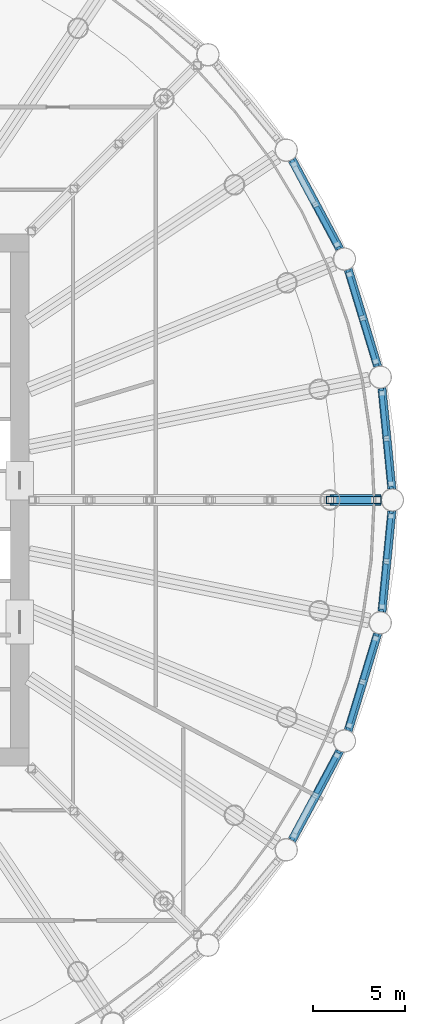
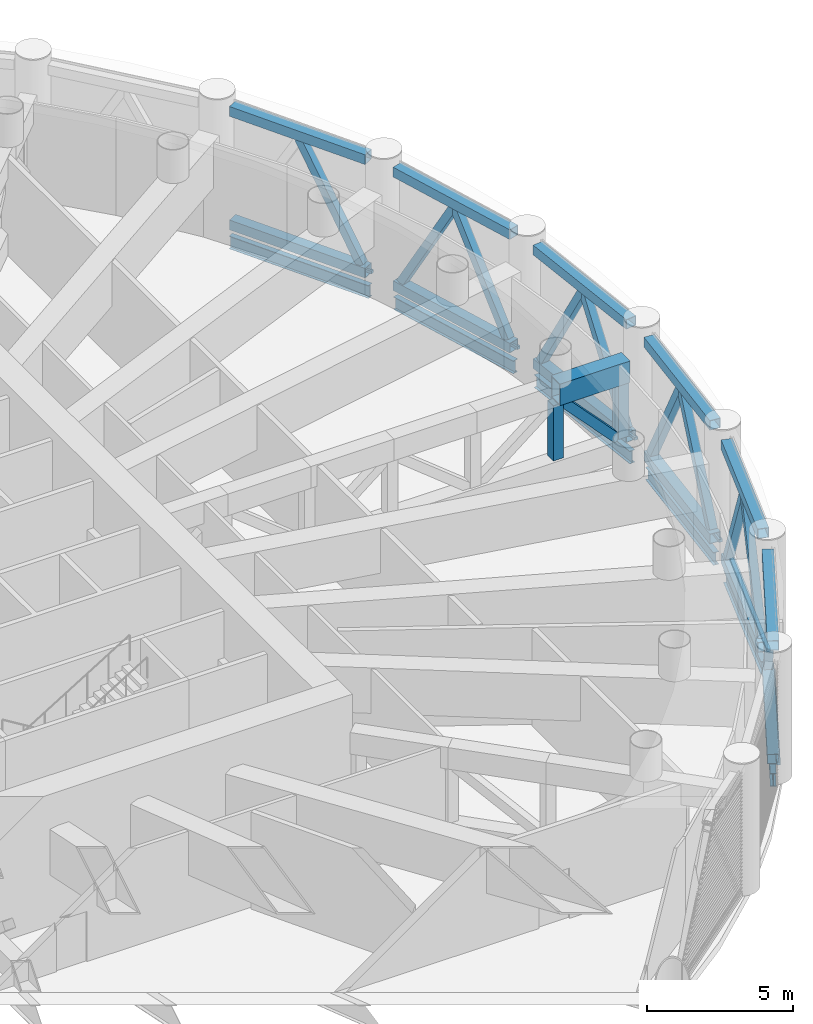
# One storey, part 7 of 29: 32 members, 6 beams, 6 elements without a shape of their own.
"""IFC4 building model written with IfcOpenShell, lengths in metres."""

from ifc_helpers import new_model, si_unit, direction, frame, origin, origin_2d, place, context, subcontext, project, spatial, rectangle, hollow_rectangle, i_section, extrude, material, material_profile, profile_set, type_object, element, aggregate, save


model = new_model("IFC4")

# Units and contexts
model_context = context("Model", 3, precision=1e-05, world=origin(), true_north=direction((0.0, 1.0)))
body_context = subcontext(model_context, "Body", "Model", "MODEL_VIEW")
ifc_project = project(units=[si_unit("LENGTHUNIT", "METRE"), si_unit("AREAUNIT", "SQUARE_METRE"), si_unit("VOLUMEUNIT", "CUBIC_METRE"), si_unit("PLANEANGLEUNIT", "RADIAN"), si_unit("MASSUNIT", "GRAM", prefix="KILO")], contexts=[model_context])

# Site, building, storey
site_placement = place(None, origin())
site = spatial("IfcSite", under=ifc_project, at=site_placement, CompositionType="ELEMENT")
building_placement = place(site_placement, origin())
building = spatial("IfcBuilding", under=site, at=building_placement, Name="Corvane Civic Tower", CompositionType="ELEMENT")
storey_placement = place(building_placement, frame((0.0, 0.0, 138.5)))
storey = spatial("IfcBuildingStorey", under=building, at=storey_placement, Name="L32", CompositionType="ELEMENT", Elevation=138.5)

# Members
ifc_material_1 = material(Name="Steel ASTM A500 Gr C", Category="steel")
ifc_material_profile_1 = material_profile(ifc_material_1, hollow_rectangle(XDim=0.406494140625, YDim=0.406494140625, WallThickness=0.0146484375, at=origin_2d()), Name="HSS16X16X5/8")
ifc_profile_set_1 = profile_set([ifc_material_profile_1], Name="Steel ASTM A500 Gr C")
member_type_1 = type_object("IfcMemberType", Name="BELT CHORD HSS16X16X5/8", PredefinedType="CHORD", material=ifc_profile_set_1)
for number, where, z_axis, x_axis, name in (
    (1, (28.81396484375, 18.5048828125, 4.94677734375), (0.47138205606, -0.881929111224, 0.0), (0.881929111224, 0.47138205606, 0.0), "Belt truss BT-L32"),
    (2, (28.81396484375, 18.5048828125, 0.203125), (0.47138205606, -0.881929111224, 0.0), (0.881929111224, 0.47138205606, 0.0), "Belt truss BT-L32"),
    (3, (31.870361328125, 12.52783203125, 4.94677734375), (0.290313141039, -0.956931700875, 0.0), (0.956931700875, 0.290313141039, 0.0), "Belt truss BT-L32"),
    (4, (31.870361328125, 12.52783203125, 0.203125), (0.290313141039, -0.956931700875, 0.0), (0.956931700875, 0.290313141039, 0.0), "Belt truss BT-L32"),
    (5, (33.7021484375, 6.069580078125, 4.94677734375), (0.098033100605, -0.995183154593, 0.0), (0.995183154593, 0.098033100605, 0.0), "Belt truss BT-L32"),
    (6, (33.7021484375, 6.069580078125, 0.203125), (0.098033100605, -0.995183154593, 0.0), (0.995183154593, 0.098033100605, 0.0), "Belt truss BT-L32"),
    (7, (34.23876953125, -0.6220703125, 4.94677734375), (-0.098033100605, -0.995183154593, 0.0), (0.995183154593, -0.098033100605, 0.0), "Belt truss BT-L32"),
    (8, (34.23876953125, -0.6220703125, 0.203125), (-0.098033100605, -0.995183154593, 0.0), (0.995183154593, -0.098033100605, 0.0), "Belt truss BT-L32"),
    (9, (33.45947265625, -7.289794921875, 4.94677734375), (-0.290313141039, -0.956931700875, 0.0), (0.956931700875, -0.290313141039, 0.0), "Belt truss BT-L32"),
    (10, (33.45947265625, -7.289794921875, 0.203125), (-0.290313141039, -0.956931700875, 0.0), (0.956931700875, -0.290313141039, 0.0), "Belt truss BT-L32"),
    (11, (31.394287109375, -13.67724609375, 4.94677734375), (-0.47138205606, -0.881929111224, 0.0), (0.881929111224, -0.47138205606, 0.0), "Belt truss BT-L32"),
    (12, (31.394287109375, -13.67724609375, 0.203125), (-0.47138205606, -0.881929111224, 0.0), (0.881929111224, -0.47138205606, 0.0), "Belt truss BT-L32"),
):
    element("IfcMember", number, at=place(storey_placement, frame(where, z_axis=z_axis, x_axis=x_axis)), inside=storey, type_object=member_type_1, Name=name, PredefinedType="CHORD", context=body_context, shape_type="SweptSolid", body=[
        extrude(hollow_rectangle(XDim=0.406494140625, YDim=0.406494140625, WallThickness=0.0146484375, at=origin_2d()), origin(), (0.0, 0.0, 1.0), 5.473876953125),
    ])
ifc_material_2 = material(Name="Steel ASTM A500 Gr C", Category="steel")
ifc_material_profile_2 = material_profile(ifc_material_2, hollow_rectangle(XDim=0.3046875, YDim=0.3046875, WallThickness=0.01171875, at=origin_2d()), Name="HSS12X12X1/2")
ifc_profile_set_2 = profile_set([ifc_material_profile_2], Name="Steel ASTM A500 Gr C")
member_type_2 = type_object("IfcMemberType", Name="BELT DIAGONAL HSS12X12X1/2", PredefinedType="BRACE", material=ifc_profile_set_2)
for number, where, z_axis, x_axis, name in (
    (13, (31.276611328125, 13.897705078125, 0.406494140625), (-0.234490467462, 0.438705197767, 0.867497533208), (-0.881923225122, -0.471393068459, 0.0), "Belt truss BT-L32"),
    (14, (31.94287109375, 12.28857421875, 0.406494140625), (0.14444425397, -0.476011692933, 0.867495663209), (0.956913702942, 0.290372459305, 0.0), "Belt truss BT-L32"),
    (15, (33.386962890625, 7.529052734375, 0.406494140625), (-0.144399796979, 0.475977281417, 0.867521945663), (-0.956932702611, -0.290309839091, 0.0), "Belt truss BT-L32"),
    (16, (33.7265625, 5.82080078125, 0.406494140625), (0.048783856722, -0.495016972565, 0.867512727397), (0.995179049669, 0.098074762811, 0.0), "Belt truss BT-L32"),
):
    element("IfcMember", number, at=place(storey_placement, frame(where, z_axis=z_axis, x_axis=x_axis)), inside=storey, type_object=member_type_2, Name=name, PredefinedType="BRACE", context=body_context, shape_type="SweptSolid", body=[
        extrude(hollow_rectangle(XDim=0.3046875, YDim=0.3046875, WallThickness=0.01171875, at=origin_2d()), origin(), (0.0, 0.0, 1.0), 4.99951171875),
    ])
for number, where, z_axis, x_axis, name in (
    (17, (34.21435546875, 0.870849609375, 0.406494140625), (-0.048782677454, 0.495053837868, 0.867491756729), (-0.995179993822, -0.098065181873, 0.0), "Belt truss BT-L32"),
    (18, (34.21435546875, -0.870849609375, 0.406494140625), (-0.048782677454, -0.495053837868, 0.867491756729), (0.995179993822, -0.098065181873, 0.0), "Belt truss BT-L32"),
):
    element("IfcMember", number, at=place(storey_placement, frame(where, z_axis=z_axis, x_axis=x_axis)), inside=storey, type_object=member_type_2, Name=name, PredefinedType="BRACE", context=body_context, shape_type="SweptSolid", body=[
        extrude(hollow_rectangle(XDim=0.3046875, YDim=0.3046875, WallThickness=0.01171875, at=origin_2d()), origin(), (0.0, 0.0, 1.0), 4.999755859375),
    ])
for number, where, z_axis, x_axis, name in (
    (19, (33.7265625, -5.82080078125, 0.406494140625), (0.048783856722, 0.495016972565, 0.867512727397), (-0.995179049669, 0.098074762811, 0.0), "Belt truss BT-L32"),
    (20, (33.386962890625, -7.529052734375, 0.406494140625), (-0.144399796979, -0.475977281417, 0.867521945663), (0.956932702611, -0.290309839091, 0.0), "Belt truss BT-L32"),
    (21, (31.94287109375, -12.28857421875, 0.406494140625), (0.14444425397, 0.476011692933, 0.867495663209), (-0.956913702942, 0.290372459305, 0.0), "Belt truss BT-L32"),
    (22, (31.276611328125, -13.897705078125, 0.406494140625), (-0.234490467462, -0.438705197767, 0.867497533208), (0.881923225122, -0.471393068459, 0.0), "Belt truss BT-L32"),
):
    element("IfcMember", number, at=place(storey_placement, frame(where, z_axis=z_axis, x_axis=x_axis)), inside=storey, type_object=member_type_2, Name=name, PredefinedType="BRACE", context=body_context, shape_type="SweptSolid", body=[
        extrude(hollow_rectangle(XDim=0.3046875, YDim=0.3046875, WallThickness=0.01171875, at=origin_2d()), origin(), (0.0, 0.0, 1.0), 4.99951171875),
    ])

# Beams
ifc_material_3 = material(Name="Steel ASTM A992 Gr 50", Category="steel")
ifc_material_profile_3 = material_profile(ifc_material_3, i_section(OverallWidth=0.209228515625, OverallDepth=0.533447265625, WebThickness=0.01025390625, FlangeThickness=0.015625, at=origin_2d()), Name="W21X62")
ifc_profile_set_3 = profile_set([ifc_material_profile_3], Name="Steel ASTM A992 Gr 50")
beam_type = type_object("IfcBeamType", Name="EDGE BEAM W21X62", PredefinedType="BEAM", material=ifc_profile_set_3)
beam_1_placement = place(storey_placement, frame((28.778564453125, 18.571044921875, -0.61669921875), z_axis=(0.471392407008, -0.88192357867, 0.0), x_axis=(0.88192357867, 0.471392407008, 0.0)))
element("IfcBeam", 23, at=beam_1_placement, inside=storey, type_object=beam_type, Name="BM-L32-E06", PredefinedType="BEAM", context=body_context, shape_type="SweptSolid", body=[
    extrude(i_section(OverallWidth=0.209228515625, OverallDepth=0.533447265625, WebThickness=0.01025390625, FlangeThickness=0.015625, at=origin_2d()), origin(), (0.0, 0.0, 1.0), 5.6240234375),
])
beam_2_placement = place(storey_placement, frame((31.8486328125, 12.599609375, -0.61669921875), z_axis=(0.290297758448, -0.956936367498, 0.0), x_axis=(0.956936367498, 0.290297758448, 0.0)))
element("IfcBeam", 24, at=beam_2_placement, inside=storey, type_object=beam_type, Name="BM-L32-E07", PredefinedType="BEAM", context=body_context, shape_type="SweptSolid", body=[
    extrude(i_section(OverallWidth=0.209228515625, OverallDepth=0.533447265625, WebThickness=0.01025390625, FlangeThickness=0.015625, at=origin_2d()), origin(), (0.0, 0.0, 1.0), 5.623779296875),
])
for number, where, z_axis, x_axis, name in (
    (25, (33.69482421875, 6.144287109375, -0.61669921875), (0.098020776625, -0.995184368522, 0.0), (0.995184368522, 0.098020776625, 0.0), "BM-L32-E08"),
    (26, (34.24609375, -0.54736328125, -0.61669921875), (-0.098020776625, -0.995184368522, 0.0), (0.995184368522, -0.098020776625, 0.0), "BM-L32-E09"),
):
    element("IfcBeam", number, at=place(storey_placement, frame(where, z_axis=z_axis, x_axis=x_axis)), inside=storey, type_object=beam_type, Name=name, PredefinedType="BEAM", context=body_context, shape_type="SweptSolid", body=[
        extrude(i_section(OverallWidth=0.209228515625, OverallDepth=0.533447265625, WebThickness=0.01025390625, FlangeThickness=0.015625, at=origin_2d()), origin(), (0.0, 0.0, 1.0), 5.6240234375),
    ])
beam_3_placement = place(storey_placement, frame((33.481201171875, -7.218017578125, -0.61669921875), z_axis=(-0.290297758448, -0.956936367498, 0.0), x_axis=(0.956936367498, -0.290297758448, 0.0)))
element("IfcBeam", 27, at=beam_3_placement, inside=storey, type_object=beam_type, Name="BM-L32-E10", PredefinedType="BEAM", context=body_context, shape_type="SweptSolid", body=[
    extrude(i_section(OverallWidth=0.209228515625, OverallDepth=0.533447265625, WebThickness=0.01025390625, FlangeThickness=0.015625, at=origin_2d()), origin(), (0.0, 0.0, 1.0), 5.623779296875),
])
beam_4_placement = place(storey_placement, frame((31.4296875, -13.611083984375, -0.61669921875), z_axis=(-0.471392407008, -0.88192357867, 0.0), x_axis=(0.88192357867, -0.471392407008, 0.0)))
element("IfcBeam", 28, at=beam_4_placement, inside=storey, type_object=beam_type, Name="BM-L32-E11", PredefinedType="BEAM", context=body_context, shape_type="SweptSolid", body=[
    extrude(i_section(OverallWidth=0.209228515625, OverallDepth=0.533447265625, WebThickness=0.01025390625, FlangeThickness=0.015625, at=origin_2d()), origin(), (0.0, 0.0, 1.0), 5.6240234375),
])

# Members
ifc_material_4 = material(Name="Steel ASTM A572 Gr 50", Category="steel")
ifc_material_profile_4 = material_profile(ifc_material_4, hollow_rectangle(XDim=0.60009765625, YDim=0.89990234375, WallThickness=0.0400390625, at=origin_2d()), Name="BOX900X600X40")
ifc_profile_set_4 = profile_set([ifc_material_profile_4], Name="Steel ASTM A572 Gr 50")
member_type_3 = type_object("IfcMemberType", Name="OUTRIGGER CHORD BOX900X600X40", PredefinedType="CHORD", material=ifc_profile_set_4)
member_1_placement = place(storey_placement, frame((30.89990234375, 0.0, 3.64990234375), z_axis=(1.0, 0.0, 0.0), x_axis=(0.0, 1.0, 0.0)))
element("IfcMember", 29, at=member_1_placement, inside=storey, type_object=member_type_3, Name="Outrigger truss OT-L32-3", PredefinedType="CHORD", context=body_context, shape_type="SweptSolid", body=[
    extrude(hollow_rectangle(XDim=0.60009765625, YDim=0.89990234375, WallThickness=0.0400390625, at=origin_2d()), origin(), (0.0, 0.0, 1.0), 2.775146484375),
])
ifc_material_5 = material(Name="Steel ASTM A500 Gr C", Category="steel")
ifc_material_profile_5 = material_profile(ifc_material_5, hollow_rectangle(XDim=0.355712890625, YDim=0.355712890625, WallThickness=0.01171875, at=origin_2d()), Name="HSS14X14X1/2")
ifc_profile_set_5 = profile_set([ifc_material_profile_5], Name="Steel ASTM A500 Gr C")
member_type_4 = type_object("IfcMemberType", Name="OUTRIGGER DIAGONAL HSS14X14X1/2", PredefinedType="BRACE", material=ifc_profile_set_5)
member_2_placement = place(storey_placement, frame((31.103271484375, 0.0, 3.199951171875), z_axis=(0.685453892401, 0.0, -0.728116035665), x_axis=(0.0, 1.0, 0.0)))
element("IfcMember", 30, at=member_2_placement, inside=storey, type_object=member_type_4, Name="Outrigger truss OT-L32-3", PredefinedType="BRACE", context=body_context, shape_type="SweptSolid", body=[
    extrude(hollow_rectangle(XDim=0.355712890625, YDim=0.355712890625, WallThickness=0.01171875, at=origin_2d()), origin(), (0.0, 0.0, 1.0), 3.158935546875),
])
ifc_material_6 = material(Name="Steel ASTM A500 Gr C", Category="steel")
ifc_material_profile_6 = material_profile(ifc_material_6, hollow_rectangle(XDim=0.406494140625, YDim=0.406494140625, WallThickness=0.0146484375, at=origin_2d()), Name="HSS16X16X5/8")
ifc_profile_set_6 = profile_set([ifc_material_profile_6], Name="Steel ASTM A500 Gr C")
member_type_5 = type_object("IfcMemberType", Name="OUTRIGGER POST HSS16X16X5/8", PredefinedType="POST", material=ifc_profile_set_6)
for number, where, z_axis, x_axis, name in (
    (31, (30.89990234375, 0.0, 0.89990234375), (0.0, 0.0, 1.0), (1.0, 0.0, 0.0), "Outrigger truss OT-L32-3"),
    (32, (33.4716796875, 0.0, 0.89990234375), (0.0, 0.0, 1.0), (1.0, 0.0, 0.0), "Outrigger truss OT-L32-3"),
):
    element("IfcMember", number, at=place(storey_placement, frame(where, z_axis=z_axis, x_axis=x_axis)), inside=storey, type_object=member_type_5, Name=name, PredefinedType="POST", context=body_context, shape_type="SweptSolid", body=[
        extrude(hollow_rectangle(XDim=0.406494140625, YDim=0.406494140625, WallThickness=0.0146484375, at=origin_2d()), origin(), (0.0, 0.0, 1.0), 2.300048828125),
    ])

# Curtain wall, member
ifc_material_7 = material(Name="Anodised aluminium bronze", Category="aluminium")
curtain_wall_type = type_object("IfcCurtainWallType", Name="TOWER CW-LV LOUVRE SCREEN WALL", PredefinedType="NOTDEFINED", material=ifc_material_7)
curtain_wall_1_placement = place(storey_placement, origin())
curtain_wall_1 = element("IfcCurtainWall", 33, at=curtain_wall_1_placement, inside=storey, type_object=curtain_wall_type, Name="Louvre screen wall CW-LV L32 bay 06", PredefinedType="NOTDEFINED")
ifc_material_8 = material(Name="Anodised aluminium bronze", Category="aluminium")
ifc_material_profile_7 = material_profile(ifc_material_8, rectangle(XDim=0.139892578125, YDim=0.1201171875, at=origin_2d()), Name="TOWER CW-LV TRANSOM 140x120")
ifc_profile_set_7 = profile_set([ifc_material_profile_7], Name="Anodised aluminium bronze")
member_type_6 = type_object("IfcMemberType", Name="TOWER CW-LV TRANSOM 140x120", PredefinedType="USERDEFINED", material=ifc_profile_set_7)
member_3_placement = place(storey_placement, frame((28.945556640625, 18.63916015625, 0.06005859375), z_axis=(0.47139778253, -0.881920705407, 0.0), x_axis=(0.881920705407, 0.47139778253, 0.0)))
member_3 = element("IfcMember", 34, at=member_3_placement, type_object=member_type_6, Name="Transom CW-LV L32 06.1", ObjectType="TRANSOM", PredefinedType="USERDEFINED", context=body_context, shape_type="SweptSolid", body=[
    extrude(rectangle(XDim=0.139892578125, YDim=0.1201171875, at=origin_2d()), origin(), (0.0, 0.0, 1.0), 5.586669921875),
])
aggregate(curtain_wall_1, [member_3])

curtain_wall_2_placement = place(storey_placement, origin())
curtain_wall_2 = element("IfcCurtainWall", 35, at=curtain_wall_2_placement, inside=storey, type_object=curtain_wall_type, Name="Louvre screen wall CW-LV L32 bay 07", PredefinedType="NOTDEFINED")
member_4_placement = place(storey_placement, frame((32.025634765625, 12.6337890625, 0.06005859375), z_axis=(0.290269376509, -0.956944977029, 0.0), x_axis=(0.956944977029, 0.290269376509, 0.0)))
member_4 = element("IfcMember", 36, at=member_4_placement, type_object=member_type_6, Name="Transom CW-LV L32 07.1", ObjectType="TRANSOM", PredefinedType="USERDEFINED", context=body_context, shape_type="SweptSolid", body=[
    extrude(rectangle(XDim=0.139892578125, YDim=0.1201171875, at=origin_2d()), origin(), (0.0, 0.0, 1.0), 5.58642578125),
])
aggregate(curtain_wall_2, [member_4])

curtain_wall_3_placement = place(storey_placement, origin())
curtain_wall_3 = element("IfcCurtainWall", 37, at=curtain_wall_3_placement, inside=storey, type_object=curtain_wall_type, Name="Louvre screen wall CW-LV L32 bay 08", PredefinedType="NOTDEFINED")
member_5_placement = place(storey_placement, frame((33.874755859375, 6.14306640625, 0.06005859375), z_axis=(0.098067077419, -0.995179807033, 0.0), x_axis=(0.995179807033, 0.098067077419, 0.0)))
member_5 = element("IfcMember", 38, at=member_5_placement, type_object=member_type_6, Name="Transom CW-LV L32 08.1", ObjectType="TRANSOM", PredefinedType="USERDEFINED", context=body_context, shape_type="SweptSolid", body=[
    extrude(rectangle(XDim=0.139892578125, YDim=0.1201171875, at=origin_2d()), origin(), (0.0, 0.0, 1.0), 5.58642578125),
])
aggregate(curtain_wall_3, [member_5])

curtain_wall_4_placement = place(storey_placement, origin())
curtain_wall_4 = element("IfcCurtainWall", 39, at=curtain_wall_4_placement, inside=storey, type_object=curtain_wall_type, Name="Louvre screen wall CW-LV L32 bay 09", PredefinedType="NOTDEFINED")
member_6_placement = place(storey_placement, frame((34.422607421875, -0.58349609375, 0.06005859375), z_axis=(-0.098067077419, -0.995179807033, 0.0), x_axis=(0.995179807033, -0.098067077419, 0.0)))
member_6 = element("IfcMember", 40, at=member_6_placement, type_object=member_type_6, Name="Transom CW-LV L32 09.1", ObjectType="TRANSOM", PredefinedType="USERDEFINED", context=body_context, shape_type="SweptSolid", body=[
    extrude(rectangle(XDim=0.139892578125, YDim=0.1201171875, at=origin_2d()), origin(), (0.0, 0.0, 1.0), 5.58642578125),
])
aggregate(curtain_wall_4, [member_6])

curtain_wall_5_placement = place(storey_placement, origin())
curtain_wall_5 = element("IfcCurtainWall", 41, at=curtain_wall_5_placement, inside=storey, type_object=curtain_wall_type, Name="Louvre screen wall CW-LV L32 bay 10", PredefinedType="NOTDEFINED")
member_7_placement = place(storey_placement, frame((33.647216796875, -7.287841796875, 0.06005859375), z_axis=(-0.290269376509, -0.956944977029, 0.0), x_axis=(0.956944977029, -0.290269376509, 0.0)))
member_7 = element("IfcMember", 42, at=member_7_placement, type_object=member_type_6, Name="Transom CW-LV L32 10.1", ObjectType="TRANSOM", PredefinedType="USERDEFINED", context=body_context, shape_type="SweptSolid", body=[
    extrude(rectangle(XDim=0.139892578125, YDim=0.1201171875, at=origin_2d()), origin(), (0.0, 0.0, 1.0), 5.58642578125),
])
aggregate(curtain_wall_5, [member_7])

curtain_wall_6_placement = place(storey_placement, origin())
curtain_wall_6 = element("IfcCurtainWall", 43, at=curtain_wall_6_placement, inside=storey, type_object=curtain_wall_type, Name="Louvre screen wall CW-LV L32 bay 11", PredefinedType="NOTDEFINED")
member_8_placement = place(storey_placement, frame((31.5791015625, -13.712158203125, 0.06005859375), z_axis=(-0.47139778253, -0.881920705407, 0.0), x_axis=(0.881920705407, -0.47139778253, 0.0)))
member_8 = element("IfcMember", 44, at=member_8_placement, type_object=member_type_6, Name="Transom CW-LV L32 11.1", ObjectType="TRANSOM", PredefinedType="USERDEFINED", context=body_context, shape_type="SweptSolid", body=[
    extrude(rectangle(XDim=0.139892578125, YDim=0.1201171875, at=origin_2d()), origin(), (0.0, 0.0, 1.0), 5.586669921875),
])
aggregate(curtain_wall_6, [member_8])

save(model, "model.ifc")
